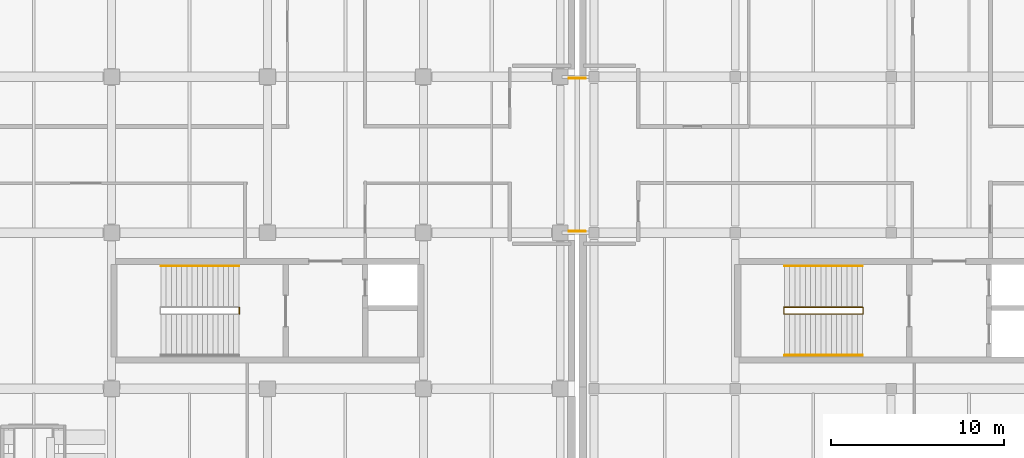
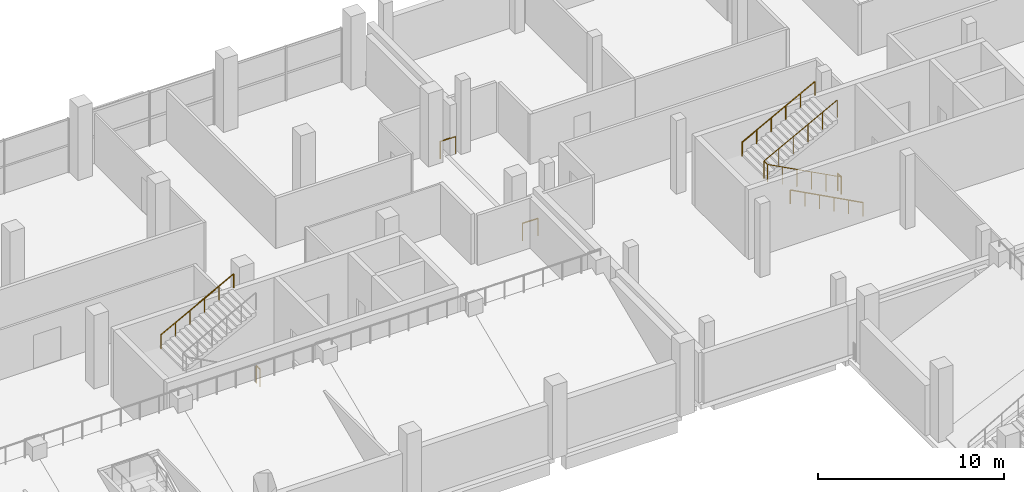
# One storey, part 99 of 100: 8 railings.
"""IFC4 building model written with IfcOpenShell, lengths in metres."""

from ifc_helpers import new_model, si_unit, direction, frame, origin, origin_2d, place, context, subcontext, project, spatial, circle, extrude, material, type_object, element, save


model = new_model("IFC4")

# Units and contexts
model_context = context("Model", 3, precision=1e-05, world=origin(), true_north=direction((0.0, 1.0)))
body_context = subcontext(model_context, "Body", "Model", "MODEL_VIEW")
ifc_project = project(units=[si_unit("LENGTHUNIT", "METRE"), si_unit("AREAUNIT", "SQUARE_METRE"), si_unit("VOLUMEUNIT", "CUBIC_METRE"), si_unit("PLANEANGLEUNIT", "RADIAN"), si_unit("MASSUNIT", "GRAM", prefix="KILO"), si_unit("THERMODYNAMICTEMPERATUREUNIT", "KELVIN"), si_unit("POWERUNIT", "WATT")], contexts=[model_context])

# Site, building, storey
site_placement = place(None, origin())
site = spatial("IfcSite", under=ifc_project, at=site_placement, CompositionType="ELEMENT")
building_placement = place(site_placement, origin())
building = spatial("IfcBuilding", under=site, at=building_placement, Name="Sindhuravela Promenade Stadium", CompositionType="ELEMENT")
storey_placement = place(building_placement, frame((0.0, 0.0, 4.800048828125)))
storey = spatial("IfcBuildingStorey", under=building, at=storey_placement, Name="L01", CompositionType="ELEMENT", Elevation=4.800048828125)

# Railings
ifc_material = material(Name="Architectural wrought steel E350", Category="steel")
railing_type_1 = type_object("IfcRailingType", Name="RL-GRD-1150", PredefinedType="GUARDRAIL", material=ifc_material)
for number, where, name in (
    (1, (161.39990234375, 144.080078125, 0.0), "Bridge edge guardrail GR01-71"),
    (2, (161.39990234375, 152.919921875, 0.0), "Bridge edge guardrail GR01-72"),
):
    element("IfcRailing", number, at=place(storey_placement, frame(where)), inside=storey, type_object=railing_type_1, Name=name, PredefinedType="GUARDRAIL", context=body_context, shape_type="SweptSolid", body=[
        extrude(circle(Radius=0.02392578125, at=origin_2d()), frame((0.0, 0.0, 1.1259765625), z_axis=(1.0, 0.0, 0.0), x_axis=(0.0, 1.0, 0.0)), (0.0, 0.0, 1.0), 0.9501953125),
        extrude(circle(Radius=0.02099609375, at=origin_2d()), origin(), (0.0, 0.0, 1.0), 1.101806640625),
        extrude(circle(Radius=0.02099609375, at=origin_2d()), frame((0.9501953125, 0.0, 0.0)), (0.0, 0.0, 1.0), 1.101806640625),
    ])
railing_1_placement = place(storey_placement, frame((142.3798828125, 139.31005859375, 0.0)))
element("IfcRailing", 3, at=railing_1_placement, inside=storey, type_object=railing_type_1, Name="Stair ST10 landing well slot guard (L01)", PredefinedType="GUARDRAIL", context=body_context, shape_type="SweptSolid", body=[
    extrude(circle(Radius=0.02392578125, at=origin_2d()), frame((0.0, 0.0, 1.1259765625), z_axis=(0.0, 1.0, 0.0), x_axis=(-1.0, 0.0, 0.0)), (0.0, 0.0, 1.0), 0.3798828125),
    extrude(circle(Radius=0.02099609375, at=origin_2d()), origin(), (0.0, 0.0, 1.0), 1.101806640625),
    extrude(circle(Radius=0.02099609375, at=origin_2d()), frame((0.0, 0.3798828125, 0.0)), (0.0, 0.0, 1.0), 1.101806640625),
])
railing_2_placement = place(storey_placement, frame((178.35009765625, 139.31005859375, 0.0)))
element("IfcRailing", 4, at=railing_2_placement, inside=storey, type_object=railing_type_1, Name="Stair GS04 inner well guard (L01)", PredefinedType="GUARDRAIL", context=body_context, shape_type="SweptSolid", body=[
    extrude(circle(Radius=0.02392578125, at=origin_2d()), frame((0.0, 0.0, 1.1259765625), z_axis=(-0.8836546633431795, 0.0, 0.46813933390802775), x_axis=(0.0, -1.0, 0.0)), (0.0, 0.0, 1.0), 5.12646484375),
    extrude(circle(Radius=0.02392578125, at=origin_2d()), frame((-4.530029296875, 0.0, 3.52587890625), z_axis=(0.0, 1.0, 0.0), x_axis=(-1.0, 0.0, 0.0)), (0.0, 0.0, 1.0), 0.3798828125),
    extrude(circle(Radius=0.02392578125, at=origin_2d()), frame((-4.530029296875, 0.3798828125, 3.52587890625), z_axis=(0.8836349624059475, 0.0, 0.46817651928929505), x_axis=(0.0, 1.0, 0.0)), (0.0, 0.0, 1.0), 5.12646484375),
    extrude(circle(Radius=0.02099609375, at=origin_2d()), origin(), (0.0, 0.0, 1.0), 1.101806640625),
    extrude(circle(Radius=0.02099609375, at=origin_2d()), frame((-0.906005859375, 0.0, 0.47998046875)), (0.0, 0.0, 1.0), 1.101806640625),
    extrude(circle(Radius=0.02099609375, at=origin_2d()), frame((-1.81201171875, 0.0, 0.9599609375)), (0.0, 0.0, 1.0), 1.101806640625),
    extrude(circle(Radius=0.02099609375, at=origin_2d()), frame((-2.718017578125, 0.0, 1.43994140625)), (0.0, 0.0, 1.0), 1.101806640625),
    extrude(circle(Radius=0.02099609375, at=origin_2d()), frame((-3.6240234375, 0.0, 1.919921875)), (0.0, 0.0, 1.0), 1.101806640625),
    extrude(circle(Radius=0.02099609375, at=origin_2d()), frame((-4.530029296875, 0.0, 2.39990234375)), (0.0, 0.0, 1.0), 1.101806640625),
    extrude(circle(Radius=0.02099609375, at=origin_2d()), frame((-4.530029296875, 0.3798828125, 2.39990234375)), (0.0, 0.0, 1.0), 1.101806640625),
    extrude(circle(Radius=0.02099609375, at=origin_2d()), frame((-3.6240234375, 0.3798828125, 2.8798828125)), (0.0, 0.0, 1.0), 1.101806640625),
    extrude(circle(Radius=0.02099609375, at=origin_2d()), frame((-2.718017578125, 0.3798828125, 3.35986328125)), (0.0, 0.0, 1.0), 1.101806640625),
    extrude(circle(Radius=0.02099609375, at=origin_2d()), frame((-1.81201171875, 0.3798828125, 3.840087890625)), (0.0, 0.0, 1.0), 1.101806640625),
    extrude(circle(Radius=0.02099609375, at=origin_2d()), frame((-0.906005859375, 0.3798828125, 4.320068359375)), (0.0, 0.0, 1.0), 1.101806640625),
    extrude(circle(Radius=0.02099609375, at=origin_2d()), frame((0.0, 0.3798828125, 4.800048828125)), (0.0, 0.0, 1.0), 1.101806640625),
])
railing_3_placement = place(storey_placement, frame((178.3798828125, 139.31005859375, 0.0)))
element("IfcRailing", 5, at=railing_3_placement, inside=storey, type_object=railing_type_1, Name="Stair GS04 landing well slot guard (L01)", PredefinedType="GUARDRAIL", context=body_context, shape_type="SweptSolid", body=[
    extrude(circle(Radius=0.02392578125, at=origin_2d()), frame((0.0, 0.0, 1.1259765625), z_axis=(0.0, 1.0, 0.0), x_axis=(-1.0, 0.0, 0.0)), (0.0, 0.0, 1.0), 0.3798828125),
    extrude(circle(Radius=0.02099609375, at=origin_2d()), origin(), (0.0, 0.0, 1.0), 1.101806640625),
    extrude(circle(Radius=0.02099609375, at=origin_2d()), frame((0.0, 0.3798828125, 0.0)), (0.0, 0.0, 1.0), 1.101806640625),
])
railing_type_2 = type_object("IfcRailingType", Name="RL-HND-920", PredefinedType="HANDRAIL", material=ifc_material)
railing_4_placement = place(storey_placement, frame((137.85009765625, 142.080078125, 2.39990234375)))
element("IfcRailing", 6, at=railing_4_placement, inside=storey, type_object=railing_type_2, Name="Stair ST10 upper wall handrail (L01)", PredefinedType="HANDRAIL", context=body_context, shape_type="SweptSolid", body=[
    extrude(circle(Radius=0.02392578125, at=origin_2d()), frame((0.0, 0.0, 0.89599609375), z_axis=(0.8823410147872734, 0.0, 0.47061059659145427), x_axis=(0.0, 1.0, 0.0)), (0.0, 0.0, 1.0), 5.10009765625),
    extrude(circle(Radius=0.02099609375, at=origin_2d()), origin(), (0.0, 0.0, 1.0), 0.871826171875),
    extrude(circle(Radius=0.02099609375, at=origin_2d()), frame((0.89990234375, 0.0, 0.47998046875)), (0.0, 0.0, 1.0), 0.871826171875),
    extrude(circle(Radius=0.02099609375, at=origin_2d()), frame((1.800048828125, 0.0, 0.9599609375)), (0.0, 0.0, 1.0), 0.871826171875),
    extrude(circle(Radius=0.02099609375, at=origin_2d()), frame((2.699951171875, 0.0, 1.440185546875)), (0.0, 0.0, 1.0), 0.871826171875),
    extrude(circle(Radius=0.02099609375, at=origin_2d()), frame((3.60009765625, 0.0, 1.920166015625)), (0.0, 0.0, 1.0), 0.871826171875),
    extrude(circle(Radius=0.02099609375, at=origin_2d()), frame((4.5, 0.0, 2.400146484375)), (0.0, 0.0, 1.0), 0.871826171875),
])
railing_5_placement = place(storey_placement, frame((178.35009765625, 136.919921875, 0.0)))
element("IfcRailing", 7, at=railing_5_placement, inside=storey, type_object=railing_type_2, Name="Stair GS04 lower wall handrail (L01)", PredefinedType="HANDRAIL", context=body_context, shape_type="SweptSolid", body=[
    extrude(circle(Radius=0.02392578125, at=origin_2d()), frame((0.0, 0.0, 0.89599609375), z_axis=(-0.8823608919668723, 0.0, 0.4705733272588083), x_axis=(0.0, -1.0, 0.0)), (0.0, 0.0, 1.0), 5.099853515625),
    extrude(circle(Radius=0.02099609375, at=origin_2d()), origin(), (0.0, 0.0, 1.0), 0.871826171875),
    extrude(circle(Radius=0.02099609375, at=origin_2d()), frame((-0.89990234375, 0.0, 0.47998046875)), (0.0, 0.0, 1.0), 0.871826171875),
    extrude(circle(Radius=0.02099609375, at=origin_2d()), frame((-1.800048828125, 0.0, 0.9599609375)), (0.0, 0.0, 1.0), 0.871826171875),
    extrude(circle(Radius=0.02099609375, at=origin_2d()), frame((-2.699951171875, 0.0, 1.43994140625)), (0.0, 0.0, 1.0), 0.871826171875),
    extrude(circle(Radius=0.02099609375, at=origin_2d()), frame((-3.60009765625, 0.0, 1.919921875)), (0.0, 0.0, 1.0), 0.871826171875),
    extrude(circle(Radius=0.02099609375, at=origin_2d()), frame((-4.5, 0.0, 2.39990234375)), (0.0, 0.0, 1.0), 0.871826171875),
])
railing_6_placement = place(storey_placement, frame((173.85009765625, 142.080078125, 2.39990234375)))
element("IfcRailing", 8, at=railing_6_placement, inside=storey, type_object=railing_type_2, Name="Stair GS04 upper wall handrail (L01)", PredefinedType="HANDRAIL", context=body_context, shape_type="SweptSolid", body=[
    extrude(circle(Radius=0.02392578125, at=origin_2d()), frame((0.0, 0.0, 0.89599609375), z_axis=(0.8823410147872734, 0.0, 0.47061059659145427), x_axis=(0.0, 1.0, 0.0)), (0.0, 0.0, 1.0), 5.10009765625),
    extrude(circle(Radius=0.02099609375, at=origin_2d()), origin(), (0.0, 0.0, 1.0), 0.871826171875),
    extrude(circle(Radius=0.02099609375, at=origin_2d()), frame((0.89990234375, 0.0, 0.47998046875)), (0.0, 0.0, 1.0), 0.871826171875),
    extrude(circle(Radius=0.02099609375, at=origin_2d()), frame((1.800048828125, 0.0, 0.9599609375)), (0.0, 0.0, 1.0), 0.871826171875),
    extrude(circle(Radius=0.02099609375, at=origin_2d()), frame((2.699951171875, 0.0, 1.440185546875)), (0.0, 0.0, 1.0), 0.871826171875),
    extrude(circle(Radius=0.02099609375, at=origin_2d()), frame((3.60009765625, 0.0, 1.920166015625)), (0.0, 0.0, 1.0), 0.871826171875),
    extrude(circle(Radius=0.02099609375, at=origin_2d()), frame((4.5, 0.0, 2.400146484375)), (0.0, 0.0, 1.0), 0.871826171875),
])

save(model, "model.ifc")
